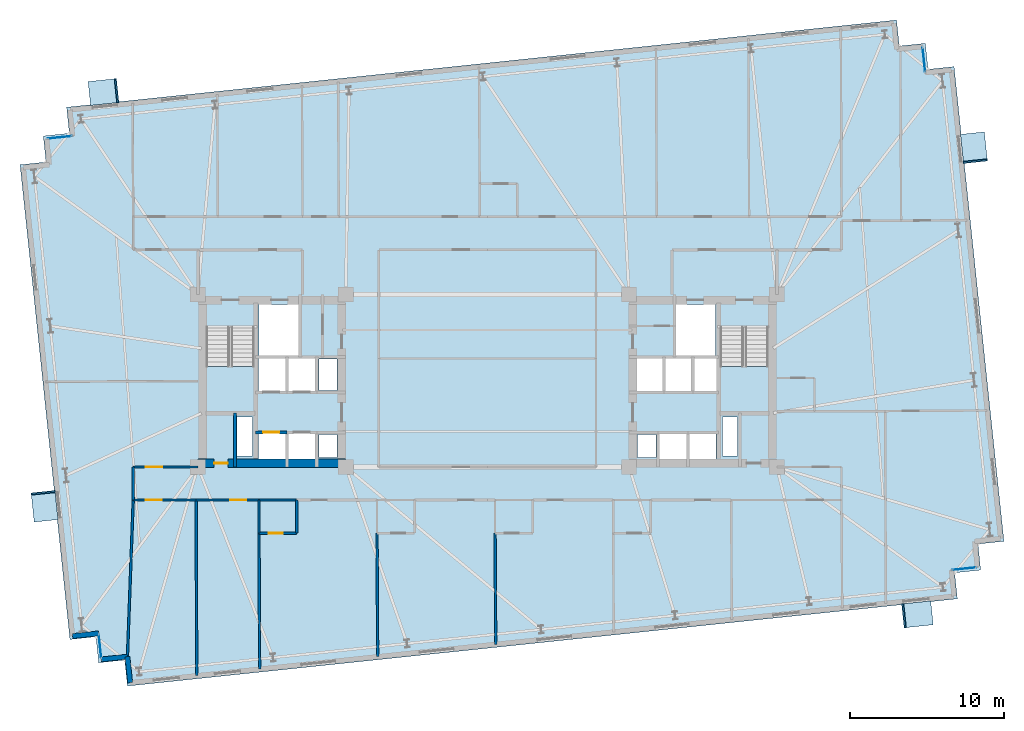
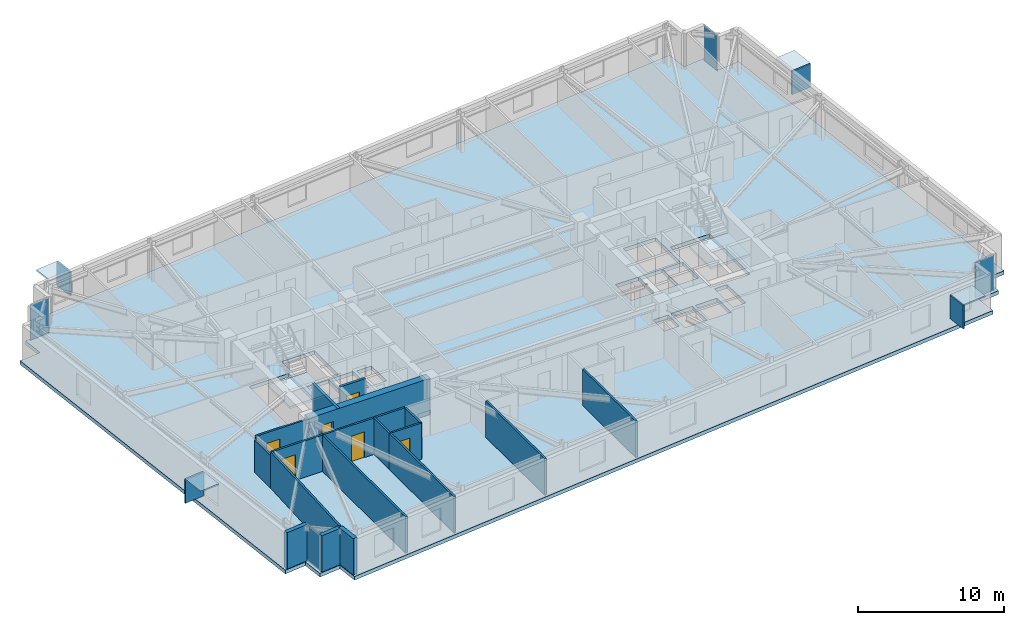
# One storey, part 11 of 18: 19 walls, 12 plates, 6 doors, 3 slabs, 6 openings, 6 elements without a shape of their own.
"""IFC4 building model written with IfcOpenShell, lengths in metres."""

from ifc_helpers import new_model, si_unit, direction, frame, frame_2d, origin, origin_2d, place, context, subcontext, project, spatial, polyline, rectangle, outline, extrude, material, layer, layer_set, type_object, element, fill, aggregate, save


model = new_model("IFC4")

# Units and contexts
model_context = context("Model", 3, precision=1e-05, world=origin(), true_north=direction((0.0, 1.0)))
body_context = subcontext(model_context, "Body", "Model", "MODEL_VIEW")
ifc_project = project(units=[si_unit("LENGTHUNIT", "METRE"), si_unit("AREAUNIT", "SQUARE_METRE"), si_unit("VOLUMEUNIT", "CUBIC_METRE"), si_unit("PLANEANGLEUNIT", "RADIAN"), si_unit("MASSUNIT", "GRAM", prefix="KILO")], contexts=[model_context])

# Site, building, storey
site_placement = place(None, origin())
site = spatial("IfcSite", under=ifc_project, at=site_placement, CompositionType="ELEMENT")
building_placement = place(site_placement, origin())
building = spatial("IfcBuilding", under=site, at=building_placement, Name="Qobustan Lattice House", CompositionType="ELEMENT")
storey_placement = place(building_placement, frame((0.0, 0.0, 92.39990234375)))
storey = spatial("IfcBuildingStorey", under=building, at=storey_placement, Name="L25", CompositionType="ELEMENT", Elevation=92.39990234375)

# Curtain wall, plate
ifc_material_1 = material(Name="Anodised aluminium and low-E glazing", Category="aluminium")
ifc_layer_1 = layer(ifc_material_1, 0.219970703125)
ifc_layer_set_1 = layer_set([ifc_layer_1], Name="Anodised aluminium and low-E glazing")
curtain_wall_type = type_object("IfcCurtainWallType", Name="CW-FAC-01", PredefinedType="USERDEFINED", material=ifc_layer_set_1)
curtain_wall_1_placement = place(storey_placement, origin())
curtain_wall_1 = element("IfcCurtainWall", 1, at=curtain_wall_1_placement, inside=storey, type_object=curtain_wall_type, Name="L25 serrated corner faceted glazing 3", ObjectType="CURTAIN WALL", PredefinedType="USERDEFINED")
ifc_material_2 = material(Name="Clear low-E laminated glass", Category="glass")
ifc_layer_2 = layer(ifc_material_2, 0.031982421875)
ifc_layer_set_2 = layer_set([ifc_layer_2], Name="Clear low-E laminated glass")
plate_type_1 = type_object("IfcPlateType", Name="CWP-VISION-32", PredefinedType="CURTAIN_PANEL", material=ifc_layer_set_2)
plate_1_placement = place(storey_placement, frame((-25.155029296875, -17.2509765625, 0.065185546875), z_axis=(0.0, 0.0, 1.0), x_axis=(-0.104528620025, 0.994521878892, 0.0)))
plate_1 = element("IfcPlate", 2, at=plate_1_placement, type_object=plate_type_1, Name="CW-F1 panel 1.1", PredefinedType="CURTAIN_PANEL", context=body_context, shape_type="SweptSolid", body=[
    extrude(rectangle(XDim=1.56005859375, YDim=0.031982421875, at=origin_2d()), origin(), (0.0, 0.0, 1.0), 2.9150390625),
])
aggregate(curtain_wall_1, [plate_1])

curtain_wall_2_placement = place(storey_placement, origin())
curtain_wall_2 = element("IfcCurtainWall", 3, at=curtain_wall_2_placement, inside=storey, type_object=curtain_wall_type, Name="L25 serrated corner faceted glazing 8", ObjectType="CURTAIN WALL", PredefinedType="USERDEFINED")
plate_2_placement = place(storey_placement, frame((-27.77490234375, 15.80615234375, 0.065185546875), z_axis=(0.0, 0.0, 1.0), x_axis=(0.994521878892, 0.104528620025, 0.0)))
plate_2 = element("IfcPlate", 4, at=plate_2_placement, type_object=plate_type_1, Name="CW-F1 panel 1.1", PredefinedType="CURTAIN_PANEL", context=body_context, shape_type="SweptSolid", body=[
    extrude(rectangle(XDim=1.56005859375, YDim=0.031982421875, at=origin_2d()), origin(), (0.0, 0.0, 1.0), 2.9150390625),
])
aggregate(curtain_wall_2, [plate_2])

curtain_wall_3_placement = place(storey_placement, origin())
curtain_wall_3 = element("IfcCurtainWall", 5, at=curtain_wall_3_placement, inside=storey, type_object=curtain_wall_type, Name="L25 serrated corner faceted glazing 13", ObjectType="CURTAIN WALL", PredefinedType="USERDEFINED")
plate_3_placement = place(storey_placement, frame((28.355224609375, 20.85107421875, 0.065185546875), z_axis=(0.0, 0.0, 1.0), x_axis=(0.104528620025, -0.994521878892, 0.0)))
plate_3 = element("IfcPlate", 6, at=plate_3_placement, type_object=plate_type_1, Name="CW-F1 panel 1.1", PredefinedType="CURTAIN_PANEL", context=body_context, shape_type="SweptSolid", body=[
    extrude(rectangle(XDim=1.56005859375, YDim=0.031982421875, at=origin_2d()), origin(), (0.0, 0.0, 1.0), 2.9150390625),
])
aggregate(curtain_wall_3, [plate_3])

curtain_wall_4_placement = place(storey_placement, origin())
curtain_wall_4 = element("IfcCurtainWall", 7, at=curtain_wall_4_placement, inside=storey, type_object=curtain_wall_type, Name="L25 serrated corner faceted glazing 18", ObjectType="CURTAIN WALL", PredefinedType="USERDEFINED")
plate_4_placement = place(storey_placement, frame((30.974853515625, -12.206298828125, 0.065185546875), z_axis=(0.0, 0.0, 1.0), x_axis=(-0.994521878892, -0.104528620025, 0.0)))
plate_4 = element("IfcPlate", 8, at=plate_4_placement, type_object=plate_type_1, Name="CW-F1 panel 1.1", PredefinedType="CURTAIN_PANEL", context=body_context, shape_type="SweptSolid", body=[
    extrude(rectangle(XDim=1.56005859375, YDim=0.031982421875, at=origin_2d()), origin(), (0.0, 0.0, 1.0), 2.9150390625),
])
aggregate(curtain_wall_4, [plate_4])

# Plates
ifc_material_3 = material(Name="Qobustan limestone GFRC", Category="masonry")
ifc_layer_3 = layer(ifc_material_3, 0.1201171875)
ifc_layer_set_3 = layer_set([ifc_layer_3], Name="Qobustan limestone GFRC")
plate_type_2 = type_object("IfcPlateType", Name="SHD-HOOD-BROW", PredefinedType="USERDEFINED", material=ifc_layer_set_3)
plate_5_placement = place(storey_placement, frame((-28.755615234375, -8.156494140625, 2.699951171875), z_axis=(0.0, 0.0, 1.0), x_axis=(-0.104528463268, 0.994521895368, 0.0)))
element("IfcPlate", 9, at=plate_5_placement, inside=storey, type_object=plate_type_2, Name="L25 splayed Qobustan stone hood brow", ObjectType="SUNSHADE", PredefinedType="USERDEFINED", context=body_context, shape_type="SweptSolid", body=[
    extrude(rectangle(XDim=1.889892578125, YDim=1.56005859375, at=origin_2d()), origin(), (0.0, 0.0, 1.0), 0.1201171875),
])
plate_6_placement = place(storey_placement, frame((-28.84814453125, -7.276123046875, 0.7900390625), z_axis=(0.0, 0.0, 1.0), x_axis=(-0.104528463268, 0.994521895368, 0.0)))
element("IfcPlate", 10, at=plate_6_placement, inside=storey, type_object=plate_type_2, Name="L25 splayed Qobustan stone hood cheek", ObjectType="SUNSHADE", PredefinedType="USERDEFINED", context=body_context, shape_type="SweptSolid", body=[
    extrude(rectangle(XDim=0.1201171875, YDim=1.56005859375, at=origin_2d()), origin(), (0.0, 0.0, 1.0), 1.969970703125),
])
plate_7_placement = place(storey_placement, frame((-24.935302734375, 18.7490234375, 2.699951171875), z_axis=(0.0, 0.0, 1.0), x_axis=(0.994521895368, 0.104528463268, 0.0)))
element("IfcPlate", 11, at=plate_7_placement, inside=storey, type_object=plate_type_2, Name="L25 splayed Qobustan stone hood brow", ObjectType="SUNSHADE", PredefinedType="USERDEFINED", context=body_context, shape_type="SweptSolid", body=[
    extrude(rectangle(XDim=1.840087890625, YDim=1.56005859375, at=origin_2d()), origin(), (0.0, 0.0, 1.0), 0.1201171875),
])
plate_8_placement = place(storey_placement, frame((-24.080078125, 18.839111328125, 0.7900390625), z_axis=(0.0, 0.0, 1.0), x_axis=(0.994521895368, 0.104528463268, 0.0)))
element("IfcPlate", 12, at=plate_8_placement, inside=storey, type_object=plate_type_2, Name="L25 splayed Qobustan stone hood cheek", ObjectType="SUNSHADE", PredefinedType="USERDEFINED", context=body_context, shape_type="SweptSolid", body=[
    extrude(rectangle(XDim=0.1201171875, YDim=1.56005859375, at=origin_2d()), origin(), (0.0, 0.0, 1.0), 1.969970703125),
])
plate_9_placement = place(storey_placement, frame((31.599609375, 15.14208984375, 2.699951171875), z_axis=(0.0, 0.0, 1.0), x_axis=(0.104528463268, -0.994521895368, 0.0)))
element("IfcPlate", 13, at=plate_9_placement, inside=storey, type_object=plate_type_2, Name="L25 splayed Qobustan stone hood brow", ObjectType="SUNSHADE", PredefinedType="USERDEFINED", context=body_context, shape_type="SweptSolid", body=[
    extrude(rectangle(XDim=1.889892578125, YDim=1.56005859375, at=origin_2d()), origin(), (0.0, 0.0, 1.0), 0.1201171875),
])
plate_10_placement = place(storey_placement, frame((31.692138671875, 14.261962890625, 0.7900390625), z_axis=(0.0, 0.0, 1.0), x_axis=(0.104528463268, -0.994521895368, 0.0)))
element("IfcPlate", 14, at=plate_10_placement, inside=storey, type_object=plate_type_2, Name="L25 splayed Qobustan stone hood cheek", ObjectType="SUNSHADE", PredefinedType="USERDEFINED", context=body_context, shape_type="SweptSolid", body=[
    extrude(rectangle(XDim=0.1201171875, YDim=1.56005859375, at=origin_2d()), origin(), (0.0, 0.0, 1.0), 1.969970703125),
])
plate_11_placement = place(storey_placement, frame((27.936279296875, -15.169921875, 2.699951171875), z_axis=(0.0, 0.0, 1.0), x_axis=(-0.994521895368, -0.104528463268, 0.0)))
element("IfcPlate", 15, at=plate_11_placement, inside=storey, type_object=plate_type_2, Name="L25 splayed Qobustan stone hood brow", ObjectType="SUNSHADE", PredefinedType="USERDEFINED", context=body_context, shape_type="SweptSolid", body=[
    extrude(rectangle(XDim=1.889892578125, YDim=1.56005859375, at=origin_2d()), origin(), (0.0, 0.0, 1.0), 0.1201171875),
])
plate_12_placement = place(storey_placement, frame((27.05615234375, -15.262451171875, 0.7900390625), z_axis=(0.0, 0.0, 1.0), x_axis=(-0.994521895368, -0.104528463268, 0.0)))
element("IfcPlate", 16, at=plate_12_placement, inside=storey, type_object=plate_type_2, Name="L25 splayed Qobustan stone hood cheek", ObjectType="SUNSHADE", PredefinedType="USERDEFINED", context=body_context, shape_type="SweptSolid", body=[
    extrude(rectangle(XDim=0.1201171875, YDim=1.56005859375, at=origin_2d()), origin(), (0.0, 0.0, 1.0), 1.969970703125),
])

# Slab
ifc_material_4 = material(Name="Concrete C40/50", Category="concrete")
ifc_layer_4 = layer(ifc_material_4, 0.304931640625)
ifc_layer_set_4 = layer_set([ifc_layer_4], Name="Concrete C40/50")
slab_type_1 = type_object("IfcSlabType", Name="SLB-FLR-305", PredefinedType="FLOOR", material=ifc_layer_set_4)
slab_1_placement = place(storey_placement, frame((0.0, 0.0, -0.304931640625)))
element("IfcSlab", 17, at=slab_1_placement, inside=storey, type_object=slab_type_1, Name="L25 structural floor slab", PredefinedType="FLOOR", context=body_context, shape_type="SweptSolid", body=[
    extrude(outline(polyline([(-23.3759765625, -19.8291015625), (30.527099609375, -14.163818359375), (30.349365234375, -12.47314453125), (32.0400390625, -12.29541015625), (31.8623046875, -10.604736328125), (33.552978515625, -10.427001953125), (30.312744140625, 20.4033203125), (28.6220703125, 20.2255859375), (28.4443359375, 21.916259765625), (26.753662109375, 21.738525390625), (26.575927734375, 23.42919921875), (-27.3271484375, 17.763671875), (-27.1494140625, 16.072998046875), (-28.840087890625, 15.8955078125), (-28.662353515625, 14.20458984375), (-30.35302734375, 14.027099609375), (-27.11279296875, -16.80322265625), (-25.422119140625, -16.62548828125), (-25.244384765625, -18.316162109375), (-23.5537109375, -18.138427734375), (-23.3759765625, -19.8291015625)]), holes=[polyline([(-18.25, -2.050048828125), (-18.25, 3.489990234375), (-15.1298828125, 3.489990234375), (-15.1298828125, -2.050048828125), (-18.25, -2.050048828125)]), polyline([(15.1298828125, -2.050048828125), (15.1298828125, 3.489990234375), (18.25, 3.489990234375), (18.25, -2.050048828125), (15.1298828125, -2.050048828125)]), polyline([(-14.820068359375, 1.64990234375), (-14.820068359375, 4.9599609375), (-12.25, 4.9599609375), (-12.25, 1.64990234375), (-14.820068359375, 1.64990234375)]), polyline([(12.25, 1.64990234375), (12.25, 4.9599609375), (14.820068359375, 4.9599609375), (14.820068359375, 1.64990234375), (12.25, 1.64990234375)]), polyline([(-16.260009765625, -4.8798828125), (-16.260009765625, -2.360107421875), (-15.260009765625, -2.360107421875), (-15.260009765625, -4.8798828125), (-16.260009765625, -4.8798828125)]), polyline([(15.260009765625, -4.8798828125), (15.260009765625, -2.360107421875), (16.260009765625, -2.360107421875), (16.260009765625, -4.8798828125), (15.260009765625, -4.8798828125)]), polyline([(-14.85009765625, -5.35009765625), (-14.85009765625, -3.419921875), (-13.1201171875, -3.419921875), (-13.1201171875, -5.35009765625), (-14.85009765625, -5.35009765625)]), polyline([(-12.919921875, -5.35009765625), (-12.919921875, -3.419921875), (-11.179931640625, -3.419921875), (-11.179931640625, -5.35009765625), (-12.919921875, -5.35009765625)]), polyline([(-14.85009765625, -0.679931640625), (-14.85009765625, 1.47998046875), (-13.1201171875, 1.47998046875), (-13.1201171875, -0.679931640625), (-14.85009765625, -0.679931640625)]), polyline([(-12.919921875, -0.679931640625), (-12.919921875, 1.47998046875), (-11.179931640625, 1.47998046875), (-11.179931640625, -0.679931640625), (-12.919921875, -0.679931640625)]), polyline([(-10.93994140625, -5.0), (-10.93994140625, -3.47998046875), (-9.760009765625, -3.47998046875), (-9.760009765625, -5.0), (-10.93994140625, -5.0)]), polyline([(-10.93994140625, -0.6201171875), (-10.93994140625, 1.419921875), (-9.760009765625, 1.419921875), (-9.760009765625, -0.6201171875), (-10.93994140625, -0.6201171875)]), polyline([(11.179931640625, -5.35009765625), (11.179931640625, -3.419921875), (12.919921875, -3.419921875), (12.919921875, -5.35009765625), (11.179931640625, -5.35009765625)]), polyline([(13.1201171875, -5.35009765625), (13.1201171875, -3.419921875), (14.85009765625, -3.419921875), (14.85009765625, -5.35009765625), (13.1201171875, -5.35009765625)]), polyline([(9.760009765625, -5.0), (9.760009765625, -3.47998046875), (10.93994140625, -3.47998046875), (10.93994140625, -5.0), (9.760009765625, -5.0)]), polyline([(13.360107421875, -0.679931640625), (13.360107421875, 1.47998046875), (14.97998046875, 1.47998046875), (14.97998046875, -0.679931640625), (13.360107421875, -0.679931640625)]), polyline([(9.6201171875, -0.679931640625), (9.6201171875, 1.47998046875), (11.43994140625, 1.47998046875), (11.43994140625, -0.679931640625), (9.6201171875, -0.679931640625)]), polyline([(11.5, -0.679931640625), (11.5, 1.47998046875), (13.320068359375, 1.47998046875), (13.320068359375, -0.679931640625), (11.5, -0.679931640625)])]), origin(), (0.0, 0.0, 1.0), 0.304931640625),
])

# Stair, slab
ifc_material_5 = material(Name="Concrete C40/50", Category="concrete")
stair_type = type_object("IfcStairType", Name="STR-CORE-DOGLEG", PredefinedType="HALF_TURN_STAIR", material=ifc_material_5)
stair_1_placement = place(storey_placement, origin())
stair_1 = element("IfcStair", 18, at=stair_1_placement, inside=storey, type_object=stair_type, Name="L25 West protected exit stair ST-W1", PredefinedType="HALF_TURN_STAIR")
ifc_material_6 = material(Name="Concrete C40/50", Category="concrete")
ifc_layer_5 = layer(ifc_material_6, 0.199951171875)
ifc_layer_set_5 = layer_set([ifc_layer_5], Name="Concrete C40/50")
slab_type_2 = type_object("IfcSlabType", Name="SLB-LANDING-200", PredefinedType="LANDING", material=ifc_layer_set_5)
slab_2_placement = place(storey_placement, frame((0.0, 0.0, 1.47509765625)))
slab_2 = element("IfcSlab", 19, at=slab_2_placement, type_object=slab_type_2, Name="ST-W1 landing 1", PredefinedType="LANDING", context=body_context, shape_type="SweptSolid", body=[
    extrude(outline(polyline([(-18.25, 0.93505859375), (-18.25, -2.050048828125), (-15.1298828125, -2.050048828125), (-15.1298828125, 0.93505859375), (-18.25, 0.93505859375)])), origin(), (0.0, 0.0, 1.0), 0.199951171875),
])
aggregate(stair_1, [slab_2])

stair_2_placement = place(storey_placement, origin())
stair_2 = element("IfcStair", 20, at=stair_2_placement, inside=storey, type_object=stair_type, Name="L25 East protected exit stair ST-E1", PredefinedType="HALF_TURN_STAIR")
slab_3_placement = place(storey_placement, frame((0.0, 0.0, 1.47509765625)))
slab_3 = element("IfcSlab", 21, at=slab_3_placement, type_object=slab_type_2, Name="ST-E1 landing 1", PredefinedType="LANDING", context=body_context, shape_type="SweptSolid", body=[
    extrude(outline(polyline([(15.1298828125, 0.93505859375), (15.1298828125, -2.050048828125), (18.25, -2.050048828125), (18.25, 0.93505859375), (15.1298828125, 0.93505859375)])), origin(), (0.0, 0.0, 1.0), 0.199951171875),
])
aggregate(stair_2, [slab_3])

# Wall, opening, door
ifc_material_7 = material(Name="Concrete C60/75", Category="concrete")
ifc_layer_6 = layer(ifc_material_7, 0.56005859375)
ifc_layer_set_6 = layer_set([ifc_layer_6], Name="Concrete C60/75")
wall_type_1 = type_object("IfcWallType", Name="WAL-CORE-600", PredefinedType="SHEAR", material=ifc_layer_set_6)
wall_1_placement = place(storey_placement, frame((-18.800048828125, -5.35009765625, 0.0), z_axis=(0.0, 0.0, 1.0), x_axis=(1.0, 0.0, 0.0)))
wall_1 = element("IfcWall", 22, at=wall_1_placement, inside=storey, type_object=wall_type_1, Name="L25 split-core shear wall CW-S", PredefinedType="SHEAR", context=body_context, shape_type="SweptSolid", body=[
    extrude(rectangle(XDim=9.60009765625, YDim=0.56005859375, at=frame_2d((4.800048828125, 0.0))), origin(), (0.0, 0.0, 1.0), 3.045166015625),
])
opening_1_placement = place(wall_1_placement, frame((1.050048828125, 0.0, 0.0)))
opening_1 = element("IfcOpeningElement", 23, at=opening_1_placement, cuts=wall_1, Name="Opening RD-01", PredefinedType="OPENING", context=body_context, shape_type="SweptSolid", body=[
    extrude(rectangle(XDim=0.89990234375, YDim=2.10009765625, at=frame_2d((0.449951171875, 1.050048828125))), frame((0.0, 0.2900390625, 0.0), z_axis=(0.0, -1.0, 0.0), x_axis=(1.0, 0.0, 0.0)), (0.0, 0.0, 1.0), 0.580078125),
])
ifc_material_8 = material(Name="Persian walnut timber and steel frame door", Category="steel")
door_type_1 = type_object("IfcDoorType", Name="DOR-RISER-FD-900x2100", OperationType="NOTDEFINED", PredefinedType="DOOR", material=ifc_material_8)
door_1_placement = place(opening_1_placement, origin())
door_1 = element("IfcDoor", 24, at=door_1_placement, inside=storey, type_object=door_type_1, Name="L25 core service riser access door W", OperationType="SINGLE_SWING_RIGHT", OverallHeight=2.10009765625, OverallWidth=0.89990234375, PredefinedType="DOOR", context=body_context, shape_type="SweptSolid", body=[
    extrude(rectangle(XDim=0.89990234375, YDim=2.10009765625, at=frame_2d((0.449951171875, 1.050048828125))), frame((0.0, 0.02490234375, 0.0), z_axis=(0.0, -1.0, 0.0), x_axis=(1.0, 0.0, 0.0)), (0.0, 0.0, 1.0), 0.050048828125),
])
fill(opening_1, door_1)

# Walls
ifc_material_9 = material(Name="Precast concrete C40/50", Category="concrete")
ifc_layer_7 = layer(ifc_material_9, 0.320068359375)
ifc_layer_set_7 = layer_set([ifc_layer_7], Name="Precast concrete C40/50")
wall_type_2 = type_object("IfcWallType", Name="WAL-EXT-STONE-320", PredefinedType="SOLIDWALL", material=ifc_layer_set_7)
for number, where, z_axis, x_axis, name in (
    (25, (-23.197998046875, -19.609375, 0.0), (0.0, 0.0, 1.0), (-0.104550220202, 0.994519608382, 0.0), "L25 exterior limestone-clad wall 1"),
    (26, (-23.375732421875, -17.918701171875, 0.0), (0.0, 0.0, 1.0), (-0.994519608382, -0.104550220202, 0.0), "L25 exterior limestone-clad wall 2"),
):
    element("IfcWall", number, at=place(storey_placement, frame(where, z_axis=z_axis, x_axis=x_axis)), inside=storey, type_object=wall_type_2, Name=name, PredefinedType="SOLIDWALL", context=body_context, shape_type="SweptSolid", body=[
        extrude(rectangle(XDim=1.699951171875, YDim=0.320068359375, at=frame_2d((0.85009765625, 0.0))), origin(), (0.0, 0.0, 1.0), 3.045166015625),
    ])
wall_2_placement = place(storey_placement, frame((-25.243896484375, -16.40576171875, 0.0), z_axis=(0.0, 0.0, 1.0), x_axis=(-0.994521177842, -0.104535289845, 0.0)))
element("IfcWall", 27, at=wall_2_placement, inside=storey, type_object=wall_type_2, Name="L25 exterior limestone-clad wall 4", PredefinedType="SOLIDWALL", context=body_context, shape_type="SweptSolid", body=[
    extrude(rectangle(XDim=1.7001953125, YDim=0.320068359375, at=frame_2d((0.85009765625, 0.0))), origin(), (0.0, 0.0, 1.0), 3.045166015625),
])

# Wall, opening, door
ifc_material_10 = material(Name="Acoustic twin-stud gypsum partition", Category="gypsum")
ifc_layer_8 = layer(ifc_material_10, 0.14990234375)
ifc_layer_set_8 = layer_set([ifc_layer_8], Name="Acoustic twin-stud gypsum partition")
wall_type_3 = type_object("IfcWallType", Name="WAL-PART-150", PredefinedType="PARTITIONING", material=ifc_layer_set_8)
wall_3_placement = place(storey_placement, frame((-23.0, -5.60009765625, 0.0), z_axis=(0.0, 0.0, 1.0), x_axis=(1.0, 0.0, 0.0)))
wall_3 = element("IfcWall", 28, at=wall_3_placement, inside=storey, type_object=wall_type_3, Name="L25 interior partition 53", PredefinedType="PARTITIONING", context=body_context, shape_type="SweptSolid", body=[
    extrude(rectangle(XDim=4.199951171875, YDim=0.14990234375, at=frame_2d((2.10009765625, 0.0))), origin(), (0.0, 0.0, 1.0), 3.045166015625),
])
opening_2_placement = place(wall_3_placement, frame((0.82861328125, 0.0, 0.0)))
opening_2 = element("IfcOpeningElement", 29, at=opening_2_placement, cuts=wall_3, Name="Opening ID-02", PredefinedType="OPENING", context=body_context, shape_type="SweptSolid", body=[
    extrude(rectangle(XDim=1.050048828125, YDim=2.14990234375, at=frame_2d((0.52490234375, 1.074951171875))), frame((0.0, 0.0849609375, 0.0), z_axis=(0.0, -1.0, 0.0), x_axis=(1.0, 0.0, 0.0)), (0.0, 0.0, 1.0), 0.169921875),
])
ifc_material_11 = material(Name="Persian walnut timber and steel frame door", Category="steel")
door_type_2 = type_object("IfcDoorType", Name="DOR-STUDY-1050x2150", OperationType="NOTDEFINED", PredefinedType="DOOR", material=ifc_material_11)
door_2_placement = place(opening_2_placement, origin())
door_2 = element("IfcDoor", 30, at=door_2_placement, inside=storey, type_object=door_type_2, Name="L25 South-west floor corridor to Academic seminar room door", OperationType="SINGLE_SWING_RIGHT", OverallHeight=2.14990234375, OverallWidth=1.050048828125, PredefinedType="DOOR", context=body_context, shape_type="SweptSolid", body=[
    extrude(rectangle(XDim=1.050048828125, YDim=2.14990234375, at=frame_2d((0.52490234375, 1.074951171875))), frame((0.0, 0.02490234375, 0.0), z_axis=(0.0, -1.0, 0.0), x_axis=(1.0, 0.0, 0.0)), (0.0, 0.0, 1.0), 0.050048828125),
])
fill(opening_2, door_2)

# Wall
wall_4_placement = place(storey_placement, frame((-23.0, -7.75, 0.0), z_axis=(0.0, 0.0, 1.0), x_axis=(0.0, 1.0, 0.0)))
element("IfcWall", 31, at=wall_4_placement, inside=storey, type_object=wall_type_3, Name="L25 interior partition 54", PredefinedType="PARTITIONING", context=body_context, shape_type="SweptSolid", body=[
    extrude(rectangle(XDim=2.14990234375, YDim=0.14990234375, at=frame_2d((1.074951171875, 0.0))), origin(), (0.0, 0.0, 1.0), 2.7001953125),
])

# Wall, opening, door
wall_5_placement = place(storey_placement, frame((-18.91650390625, -7.75, 0.0), z_axis=(0.0, 0.0, 1.0), x_axis=(-1.0, 0.0, 0.0)))
wall_5 = element("IfcWall", 32, at=wall_5_placement, inside=storey, type_object=wall_type_3, Name="L25 interior partition 55", PredefinedType="PARTITIONING", context=body_context, shape_type="SweptSolid", body=[
    extrude(rectangle(XDim=4.08349609375, YDim=0.14990234375, at=frame_2d((2.041748046875, 0.0))), origin(), (0.0, 0.0, 1.0), 3.045166015625),
])
opening_3_placement = place(wall_5_placement, frame((2.21923828125, 0.0, 0.0)))
opening_3 = element("IfcOpeningElement", 33, at=opening_3_placement, cuts=wall_5, Name="Opening ID-02", PredefinedType="OPENING", context=body_context, shape_type="SweptSolid", body=[
    extrude(rectangle(XDim=1.050048828125, YDim=2.14990234375, at=frame_2d((0.52490234375, 1.074951171875))), frame((0.0, 0.0849609375, 0.0), z_axis=(0.0, -1.0, 0.0), x_axis=(1.0, 0.0, 0.0)), (0.0, 0.0, 1.0), 0.169921875),
])
door_3_placement = place(opening_3_placement, origin())
door_3 = element("IfcDoor", 34, at=door_3_placement, inside=storey, type_object=door_type_2, Name="L25 South-west floor corridor to Focus study room S1A door", OperationType="SINGLE_SWING_LEFT", OverallHeight=2.14990234375, OverallWidth=1.050048828125, PredefinedType="DOOR", context=body_context, shape_type="SweptSolid", body=[
    extrude(rectangle(XDim=1.050048828125, YDim=2.14990234375, at=frame_2d((0.52490234375, 1.074951171875))), frame((0.0, 0.02490234375, 0.0), z_axis=(0.0, -1.0, 0.0), x_axis=(1.0, 0.0, 0.0)), (0.0, 0.0, 1.0), 0.050048828125),
])
fill(opening_3, door_3)

wall_6_placement = place(storey_placement, frame((-14.8330078125, -7.75, 0.0), z_axis=(0.0, 0.0, 1.0), x_axis=(-1.0, 0.0, 0.0)))
wall_6 = element("IfcWall", 35, at=wall_6_placement, inside=storey, type_object=wall_type_3, Name="L25 interior partition 56", PredefinedType="PARTITIONING", context=body_context, shape_type="SweptSolid", body=[
    extrude(rectangle(XDim=4.08349609375, YDim=0.14990234375, at=frame_2d((2.041748046875, 0.0))), origin(), (0.0, 0.0, 1.0), 3.045166015625),
])
opening_4_placement = place(wall_6_placement, frame((0.814208984375, 0.0, 0.0)))
opening_4 = element("IfcOpeningElement", 36, at=opening_4_placement, cuts=wall_6, Name="Opening ID-02", PredefinedType="OPENING", context=body_context, shape_type="SweptSolid", body=[
    extrude(rectangle(XDim=1.050048828125, YDim=2.14990234375, at=frame_2d((0.52490234375, 1.074951171875))), frame((0.0, 0.0849609375, 0.0), z_axis=(0.0, -1.0, 0.0), x_axis=(1.0, 0.0, 0.0)), (0.0, 0.0, 1.0), 0.169921875),
])
door_4_placement = place(opening_4_placement, origin())
door_4 = element("IfcDoor", 37, at=door_4_placement, inside=storey, type_object=door_type_2, Name="L25 South-west floor corridor to Focus study room S1B door", OperationType="SINGLE_SWING_RIGHT", OverallHeight=2.14990234375, OverallWidth=1.050048828125, PredefinedType="DOOR", context=body_context, shape_type="SweptSolid", body=[
    extrude(rectangle(XDim=1.050048828125, YDim=2.14990234375, at=frame_2d((0.52490234375, 1.074951171875))), frame((0.0, 0.02490234375, 0.0), z_axis=(0.0, -1.0, 0.0), x_axis=(1.0, 0.0, 0.0)), (0.0, 0.0, 1.0), 0.050048828125),
])
fill(opening_4, door_4)

# Walls
wall_7_placement = place(storey_placement, frame((-23.0, -7.75, 0.0), z_axis=(0.0, 0.0, 1.0), x_axis=(-0.036924695214, -0.999318050914, 0.0)))
element("IfcWall", 38, at=wall_7_placement, inside=storey, type_object=wall_type_3, Name="L25 interior partition 76", PredefinedType="PARTITIONING", context=body_context, shape_type="SweptSolid", body=[
    extrude(rectangle(XDim=10.175537109375, YDim=0.14990234375, at=frame_2d((5.087890625, 0.0))), origin(), (0.0, 0.0, 1.0), 3.045166015625),
])
wall_8_placement = place(storey_placement, frame((-18.91650390625, -7.75, 0.0), z_axis=(0.0, 0.0, 1.0), x_axis=(0.003853205971, -0.999992576374, 0.0)))
element("IfcWall", 39, at=wall_8_placement, inside=storey, type_object=wall_type_3, Name="L25 interior partition 98", PredefinedType="PARTITIONING", context=body_context, shape_type="SweptSolid", body=[
    extrude(rectangle(XDim=11.40478515625, YDim=0.14990234375, at=frame_2d((5.702392578125, 0.0))), origin(), (0.0, 0.0, 1.0), 3.045166015625),
])
wall_9_placement = place(storey_placement, frame((-14.8330078125, -9.89990234375, 0.0), z_axis=(0.0, 0.0, 1.0), x_axis=(0.004979191388, -0.99998760375, 0.0)))
element("IfcWall", 40, at=wall_9_placement, inside=storey, type_object=wall_type_3, Name="L25 interior partition 99", PredefinedType="PARTITIONING", context=body_context, shape_type="SweptSolid", body=[
    extrude(rectangle(XDim=8.82568359375, YDim=0.14990234375, at=frame_2d((4.412841796875, 0.0))), origin(), (0.0, 0.0, 1.0), 3.045166015625),
])
wall_10_placement = place(storey_placement, frame((-7.1669921875, -9.89990234375, 0.0), z_axis=(0.0, 0.0, 1.0), x_axis=(0.005479369798, -0.999984988141, 0.0)))
element("IfcWall", 41, at=wall_10_placement, inside=storey, type_object=wall_type_3, Name="L25 interior partition 103", PredefinedType="PARTITIONING", context=body_context, shape_type="SweptSolid", body=[
    extrude(rectangle(XDim=8.02001953125, YDim=0.14990234375, at=frame_2d((4.010009765625, 0.0))), origin(), (0.0, 0.0, 1.0), 3.045166015625),
])
wall_11_placement = place(storey_placement, frame((0.5, -9.89990234375, 0.0), z_axis=(0.0, 0.0, 1.0), x_axis=(0.006091463685, -0.999981446863, 0.0)))
element("IfcWall", 42, at=wall_11_placement, inside=storey, type_object=wall_type_3, Name="L25 interior partition 107", PredefinedType="PARTITIONING", context=body_context, shape_type="SweptSolid", body=[
    extrude(rectangle(XDim=7.21435546875, YDim=0.14990234375, at=frame_2d((3.607177734375, 0.0))), origin(), (0.0, 0.0, 1.0), 3.045166015625),
])
ifc_material_12 = material(Name="Concrete C40/50", Category="concrete")
ifc_layer_9 = layer(ifc_material_12, 0.199951171875)
ifc_layer_set_9 = layer_set([ifc_layer_9], Name="Concrete C40/50")
wall_type_4 = type_object("IfcWallType", Name="WAL-SHAFT-200", PredefinedType="PARTITIONING", material=ifc_layer_set_9)
wall_12_placement = place(storey_placement, frame((-16.39990234375, -5.60009765625, 0.0), z_axis=(0.0, 0.0, 1.0), x_axis=(0.0, 1.0, 0.0)))
element("IfcWall", 43, at=wall_12_placement, inside=storey, type_object=wall_type_4, Name="L25 interior partition 1", PredefinedType="PARTITIONING", context=body_context, shape_type="SweptSolid", body=[
    extrude(rectangle(XDim=3.489990234375, YDim=0.199951171875, at=frame_2d((1.7451171875, 0.0))), origin(), (0.0, 0.0, 1.0), 3.045166015625),
])

# Wall, opening, door
wall_13_placement = place(storey_placement, frame((-15.050048828125, -3.35009765625, 0.0), z_axis=(0.0, 0.0, 1.0), x_axis=(1.0, 0.0, 0.0)))
wall_13 = element("IfcWall", 44, at=wall_13_placement, inside=storey, type_object=wall_type_4, Name="L25 interior partition 8", PredefinedType="PARTITIONING", context=body_context, shape_type="SweptSolid", body=[
    extrude(rectangle(XDim=2.030029296875, YDim=0.199951171875, at=frame_2d((1.01513671875, 0.0))), origin(), (0.0, 0.0, 1.0), 3.045166015625),
])
opening_5_placement = place(wall_13_placement, frame((0.489990234375, 0.0, 0.0)))
opening_5 = element("IfcOpeningElement", 45, at=opening_5_placement, cuts=wall_13, Name="Opening LD-01", PredefinedType="OPENING", context=body_context, shape_type="SweptSolid", body=[
    extrude(rectangle(XDim=1.050048828125, YDim=2.10009765625, at=frame_2d((0.52490234375, 1.050048828125))), frame((0.0, 0.10986328125, 0.0), z_axis=(0.0, -1.0, 0.0), x_axis=(1.0, 0.0, 0.0)), (0.0, 0.0, 1.0), 0.219970703125),
])
ifc_material_13 = material(Name="Persian walnut timber and steel frame door", Category="steel")
door_type_3 = type_object("IfcDoorType", Name="DOR-LIFT-LD-1050x2100", OperationType="NOTDEFINED", PredefinedType="DOOR", material=ifc_material_13)
door_5_placement = place(opening_5_placement, origin())
door_5 = element("IfcDoor", 46, at=door_5_placement, inside=storey, type_object=door_type_3, Name="L25 lift landing door", OperationType="DOUBLE_DOOR_SLIDING", OverallHeight=2.10009765625, OverallWidth=1.050048828125, PredefinedType="DOOR", context=body_context, shape_type="SweptSolid", body=[
    extrude(rectangle(XDim=1.050048828125, YDim=2.10009765625, at=frame_2d((0.52490234375, 1.050048828125))), frame((0.0, 0.02490234375, 0.0), z_axis=(0.0, -1.0, 0.0), x_axis=(1.0, 0.0, 0.0)), (0.0, 0.0, 1.0), 0.050048828125),
])
fill(opening_5, door_5)

# Walls
ifc_material_14 = material(Name="Moisture-resistant acoustic plumbing wall", Category="gypsum")
ifc_layer_10 = layer(ifc_material_14, 0.14990234375)
ifc_layer_set_10 = layer_set([ifc_layer_10], Name="Moisture-resistant acoustic plumbing wall")
wall_type_5 = type_object("IfcWallType", Name="WAL-WET-150", PredefinedType="PLUMBINGWALL", material=ifc_layer_set_10)
wall_14_placement = place(storey_placement, frame((-12.383056640625, -7.75, 0.0), z_axis=(0.0, 0.0, 1.0), x_axis=(-1.0, 0.0, 0.0)))
element("IfcWall", 47, at=wall_14_placement, inside=storey, type_object=wall_type_5, Name="L25 interior partition 58", PredefinedType="PLUMBINGWALL", context=body_context, shape_type="SweptSolid", body=[
    extrude(rectangle(XDim=2.449951171875, YDim=0.14990234375, at=frame_2d((1.22509765625, 0.0))), origin(), (0.0, 0.0, 1.0), 3.045166015625),
])
wall_15_placement = place(storey_placement, frame((-14.8330078125, -7.75, 0.0), z_axis=(0.0, 0.0, 1.0), x_axis=(0.0, -1.0, 0.0)))
element("IfcWall", 48, at=wall_15_placement, inside=storey, type_object=wall_type_5, Name="L25 interior partition 100", PredefinedType="PLUMBINGWALL", context=body_context, shape_type="SweptSolid", body=[
    extrude(rectangle(XDim=2.14990234375, YDim=0.14990234375, at=frame_2d((1.074951171875, 0.0))), origin(), (0.0, 0.0, 1.0), 3.045166015625),
])

# Wall, opening, door
wall_16_placement = place(storey_placement, frame((-14.8330078125, -9.89990234375, 0.0), z_axis=(0.0, 0.0, 1.0), x_axis=(1.0, 0.0, 0.0)))
wall_16 = element("IfcWall", 49, at=wall_16_placement, inside=storey, type_object=wall_type_5, Name="L25 interior partition 101", PredefinedType="PLUMBINGWALL", context=body_context, shape_type="SweptSolid", body=[
    extrude(rectangle(XDim=2.449951171875, YDim=0.14990234375, at=frame_2d((1.22509765625, 0.0))), origin(), (0.0, 0.0, 1.0), 3.045166015625),
])
opening_6_placement = place(wall_16_placement, frame((0.62890625, 0.0, 0.0)))
opening_6 = element("IfcOpeningElement", 50, at=opening_6_placement, cuts=wall_16, Name="Opening WD-01", PredefinedType="OPENING", context=body_context, shape_type="SweptSolid", body=[
    extrude(rectangle(XDim=0.89990234375, YDim=2.10009765625, at=frame_2d((0.449951171875, 1.050048828125))), frame((0.0, 0.0849609375, 0.0), z_axis=(0.0, -1.0, 0.0), x_axis=(1.0, 0.0, 0.0)), (0.0, 0.0, 1.0), 0.169921875),
])
ifc_material_15 = material(Name="Persian walnut timber and steel frame door", Category="steel")
door_type_4 = type_object("IfcDoorType", Name="DOR-WET-900x2100", OperationType="NOTDEFINED", PredefinedType="DOOR", material=ifc_material_15)
door_6_placement = place(opening_6_placement, origin())
door_6 = element("IfcDoor", 51, at=door_6_placement, inside=storey, type_object=door_type_4, Name="L25 Kitchenette and studio apartment L25-S2 to En-suite bathroom L25-S2 door", OperationType="SINGLE_SWING_LEFT", OverallHeight=2.10009765625, OverallWidth=0.89990234375, PredefinedType="DOOR", context=body_context, shape_type="SweptSolid", body=[
    extrude(rectangle(XDim=0.89990234375, YDim=2.10009765625, at=frame_2d((0.449951171875, 1.050048828125))), frame((0.0, 0.02490234375, 0.0), z_axis=(0.0, -1.0, 0.0), x_axis=(1.0, 0.0, 0.0)), (0.0, 0.0, 1.0), 0.050048828125),
])
fill(opening_6, door_6)

# Wall
wall_17_placement = place(storey_placement, frame((-12.383056640625, -9.89990234375, 0.0), z_axis=(0.0, 0.0, 1.0), x_axis=(0.0, 1.0, 0.0)))
element("IfcWall", 52, at=wall_17_placement, inside=storey, type_object=wall_type_5, Name="L25 interior partition 102", PredefinedType="PLUMBINGWALL", context=body_context, shape_type="SweptSolid", body=[
    extrude(rectangle(XDim=2.14990234375, YDim=0.14990234375, at=frame_2d((1.074951171875, 0.0))), origin(), (0.0, 0.0, 1.0), 3.045166015625),
])

save(model, "model.ifc")
